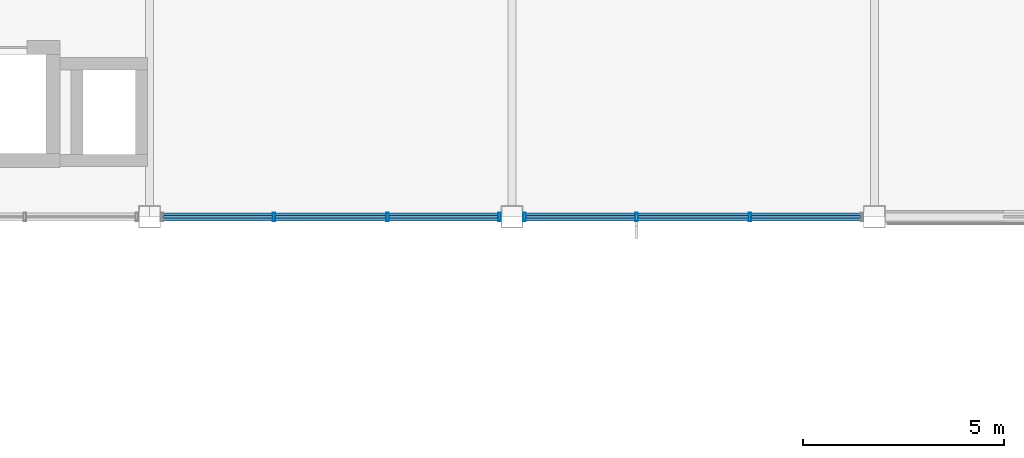
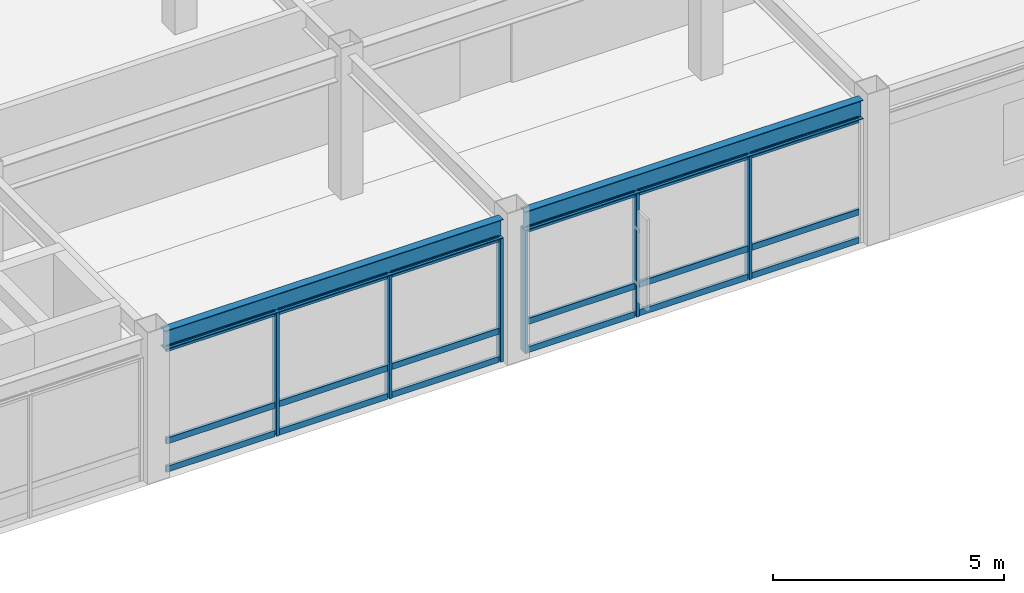
# One storey, part 68 of 122: 24 members, 2 beams, 2 elements without a shape of their own.
"""IFC4 building model written with IfcOpenShell, lengths in metres."""

from ifc_helpers import new_model, si_unit, direction, frame, origin, origin_2d, place, context, subcontext, project, spatial, hollow_rectangle, i_section, extrude, material, material_profile, profile_set, type_object, element, aggregate, save


model = new_model("IFC4")

# Units and contexts
model_context = context("Model", 3, precision=1e-05, world=origin(), true_north=direction((0.0, 1.0)))
body_context = subcontext(model_context, "Body", "Model", "MODEL_VIEW")
ifc_project = project(units=[si_unit("LENGTHUNIT", "METRE"), si_unit("AREAUNIT", "SQUARE_METRE"), si_unit("VOLUMEUNIT", "CUBIC_METRE"), si_unit("PLANEANGLEUNIT", "RADIAN"), si_unit("MASSUNIT", "GRAM", prefix="KILO")], contexts=[model_context])

# Site, building, storey
site_placement = place(None, origin())
site = spatial("IfcSite", under=ifc_project, at=site_placement, CompositionType="ELEMENT")
building_placement = place(site_placement, origin())
building = spatial("IfcBuilding", under=site, at=building_placement, Name="Kazanami Central Library", CompositionType="ELEMENT")
storey_placement = place(building_placement, frame((0.0, 0.0, 4.800048828125)))
storey = spatial("IfcBuildingStorey", under=building, at=storey_placement, Name="L02", CompositionType="ELEMENT", Elevation=4.800048828125)

# Beams
ifc_material_1 = material(Name="Steel SN490B (325 MPa)", Category="steel")
ifc_material_profile_1 = material_profile(ifc_material_1, i_section(OverallWidth=0.199951171875, OverallDepth=0.5, WebThickness=0.010009765625, FlangeThickness=0.01611328125, at=origin_2d()), Name="H-500x200x10x16")
ifc_profile_set_1 = profile_set([ifc_material_profile_1], Name="Steel SN490B (325 MPa)")
beam_type = type_object("IfcBeamType", Name="BM-SP-1", PredefinedType="SPANDREL", material=ifc_profile_set_1)
for number, where, z_axis, x_axis, name in (
    (1, (63.27294921875, 64.800048828125, 3.5048828125), (1.0, 0.0, 0.0), (0.0, 1.0, 0.0), "Girder SP-1 L02 K/8-9"),
    (2, (72.27294921875, 64.800048828125, 3.5048828125), (1.0, 0.0, 0.0), (0.0, 1.0, 0.0), "Girder SP-1 L02 K/9-10"),
):
    element("IfcBeam", number, at=place(storey_placement, frame(where, z_axis=z_axis, x_axis=x_axis)), inside=storey, type_object=beam_type, Name=name, PredefinedType="SPANDREL", context=body_context, shape_type="SweptSolid", body=[
        extrude(i_section(OverallWidth=0.199951171875, OverallDepth=0.5, WebThickness=0.010009765625, FlangeThickness=0.01611328125, at=origin_2d()), origin(), (0.0, 0.0, 1.0), 8.4541015625),
    ])

# Curtain wall, members
ifc_material_2 = material(Name="Acid-Etched Low-E Laminated Glass", Category="glass")
curtain_wall_type = type_object("IfcCurtainWallType", Name="CW-8450x3255-M275", PredefinedType="USERDEFINED", material=ifc_material_2)
curtain_wall_1_placement = place(storey_placement, origin())
curtain_wall_1 = element("IfcCurtainWall", 3, at=curtain_wall_1_placement, inside=storey, type_object=curtain_wall_type, Name="Unitised Curtain Wall CW-13 L02 S-K-07", ObjectType="UNITISED CURTAIN WALL", PredefinedType="USERDEFINED")
ifc_material_3 = material(Name="Anodised Aluminium A6063-T5", Category="aluminium")
ifc_material_profile_2 = material_profile(ifc_material_3, hollow_rectangle(XDim=0.070068359375, YDim=0.2099609375, WallThickness=0.0048828125, at=origin_2d()), Name="ALU-MULL-70x210x5")
ifc_profile_set_2 = profile_set([ifc_material_profile_2], Name="Anodised Aluminium A6063-T5")
member_type_1 = type_object("IfcMemberType", Name="MEM-CW-M1", PredefinedType="MULLION", material=ifc_profile_set_2)
member_1_placement = place(storey_placement, frame((66.091552734375, 64.800048828125, 0.0), z_axis=(0.0, 0.0, 1.0), x_axis=(1.0, 0.0, 0.0)))
member_1 = element("IfcMember", 4, at=member_1_placement, type_object=member_type_1, Name="CW-13 mullion 2", PredefinedType="MULLION", context=body_context, shape_type="SweptSolid", body=[
    extrude(hollow_rectangle(XDim=0.070068359375, YDim=0.2099609375, WallThickness=0.0048828125, at=origin_2d()), origin(), (0.0, 0.0, 1.0), 3.2548828125),
])
member_2_placement = place(storey_placement, frame((68.908447265625, 64.800048828125, 0.0), z_axis=(0.0, 0.0, 1.0), x_axis=(1.0, 0.0, 0.0)))
member_2 = element("IfcMember", 5, at=member_2_placement, type_object=member_type_1, Name="CW-13 mullion 3", PredefinedType="MULLION", context=body_context, shape_type="SweptSolid", body=[
    extrude(hollow_rectangle(XDim=0.070068359375, YDim=0.2099609375, WallThickness=0.0048828125, at=origin_2d()), origin(), (0.0, 0.0, 1.0), 3.2548828125),
])
member_3_placement = place(storey_placement, frame((71.68994140625, 64.800048828125, 0.0), z_axis=(0.0, 0.0, 1.0), x_axis=(1.0, 0.0, 0.0)))
member_3 = element("IfcMember", 6, at=member_3_placement, type_object=member_type_1, Name="CW-13 mullion 4", PredefinedType="MULLION", context=body_context, shape_type="SweptSolid", body=[
    extrude(hollow_rectangle(XDim=0.070068359375, YDim=0.2099609375, WallThickness=0.0048828125, at=origin_2d()), origin(), (0.0, 0.0, 1.0), 3.2548828125),
])

curtain_wall_2_placement = place(storey_placement, origin())
curtain_wall_2 = element("IfcCurtainWall", 7, at=curtain_wall_2_placement, inside=storey, type_object=curtain_wall_type, Name="Unitised Curtain Wall CW-13 L02 S-K-08", ObjectType="UNITISED CURTAIN WALL", PredefinedType="USERDEFINED")
member_4_placement = place(storey_placement, frame((72.31005859375, 64.800048828125, 0.0), z_axis=(0.0, 0.0, 1.0), x_axis=(1.0, 0.0, 0.0)))
member_4 = element("IfcMember", 8, at=member_4_placement, type_object=member_type_1, Name="CW-13 mullion 1", PredefinedType="MULLION", context=body_context, shape_type="SweptSolid", body=[
    extrude(hollow_rectangle(XDim=0.070068359375, YDim=0.2099609375, WallThickness=0.0048828125, at=origin_2d()), origin(), (0.0, 0.0, 1.0), 3.2548828125),
])
member_5_placement = place(storey_placement, frame((75.091552734375, 64.800048828125, 0.0), z_axis=(0.0, 0.0, 1.0), x_axis=(1.0, 0.0, 0.0)))
member_5 = element("IfcMember", 9, at=member_5_placement, type_object=member_type_1, Name="CW-13 mullion 2", PredefinedType="MULLION", context=body_context, shape_type="SweptSolid", body=[
    extrude(hollow_rectangle(XDim=0.070068359375, YDim=0.2099609375, WallThickness=0.0048828125, at=origin_2d()), origin(), (0.0, 0.0, 1.0), 3.2548828125),
])
member_6_placement = place(storey_placement, frame((77.908447265625, 64.800048828125, 0.0), z_axis=(0.0, 0.0, 1.0), x_axis=(1.0, 0.0, 0.0)))
member_6 = element("IfcMember", 10, at=member_6_placement, type_object=member_type_1, Name="CW-13 mullion 3", PredefinedType="MULLION", context=body_context, shape_type="SweptSolid", body=[
    extrude(hollow_rectangle(XDim=0.070068359375, YDim=0.2099609375, WallThickness=0.0048828125, at=origin_2d()), origin(), (0.0, 0.0, 1.0), 3.2548828125),
])

# Member
ifc_material_profile_3 = material_profile(ifc_material_3, hollow_rectangle(XDim=0.070068359375, YDim=0.159912109375, WallThickness=0.00390625, at=origin_2d()), Name="ALU-TRAN-70x160x4")
ifc_profile_set_3 = profile_set([ifc_material_profile_3], Name="Anodised Aluminium A6063-T5")
member_type_2 = type_object("IfcMemberType", Name="MEM-CW-T1", PredefinedType="USERDEFINED", material=ifc_profile_set_3)
member_7_placement = place(storey_placement, frame((63.344970703125, 64.800048828125, 0.034912109375), z_axis=(1.0, 0.0, 0.0), x_axis=(0.0, 1.0, 0.0)))
member_7 = element("IfcMember", 11, at=member_7_placement, type_object=member_type_2, Name="CW-13 transom 1.1", ObjectType="TRANSOM", PredefinedType="USERDEFINED", context=body_context, shape_type="SweptSolid", body=[
    extrude(hollow_rectangle(XDim=0.070068359375, YDim=0.159912109375, WallThickness=0.00390625, at=origin_2d()), origin(), (0.0, 0.0, 1.0), 2.711669921875),
])

member_8_placement = place(storey_placement, frame((63.344970703125, 64.800048828125, 0.780029296875), z_axis=(1.0, 0.0, 0.0), x_axis=(0.0, 1.0, 0.0)))
member_8 = element("IfcMember", 12, at=member_8_placement, type_object=member_type_2, Name="CW-13 transom 1.2", ObjectType="TRANSOM", PredefinedType="USERDEFINED", context=body_context, shape_type="SweptSolid", body=[
    extrude(hollow_rectangle(XDim=0.070068359375, YDim=0.159912109375, WallThickness=0.00390625, at=origin_2d()), origin(), (0.0, 0.0, 1.0), 2.711669921875),
])

member_9_placement = place(storey_placement, frame((63.344970703125, 64.800048828125, 3.219970703125), z_axis=(1.0, 0.0, 0.0), x_axis=(0.0, 1.0, 0.0)))
member_9 = element("IfcMember", 13, at=member_9_placement, type_object=member_type_2, Name="CW-13 transom 1.3", ObjectType="TRANSOM", PredefinedType="USERDEFINED", context=body_context, shape_type="SweptSolid", body=[
    extrude(hollow_rectangle(XDim=0.070068359375, YDim=0.159912109375, WallThickness=0.00390625, at=origin_2d()), origin(), (0.0, 0.0, 1.0), 2.711669921875),
])

member_10_placement = place(storey_placement, frame((66.126708984375, 64.800048828125, 0.034912109375), z_axis=(1.0, 0.0, 0.0), x_axis=(0.0, 1.0, 0.0)))
member_10 = element("IfcMember", 14, at=member_10_placement, type_object=member_type_2, Name="CW-13 transom 2.1", ObjectType="TRANSOM", PredefinedType="USERDEFINED", context=body_context, shape_type="SweptSolid", body=[
    extrude(hollow_rectangle(XDim=0.070068359375, YDim=0.159912109375, WallThickness=0.00390625, at=origin_2d()), origin(), (0.0, 0.0, 1.0), 2.74658203125),
])

member_11_placement = place(storey_placement, frame((66.126708984375, 64.800048828125, 0.780029296875), z_axis=(1.0, 0.0, 0.0), x_axis=(0.0, 1.0, 0.0)))
member_11 = element("IfcMember", 15, at=member_11_placement, type_object=member_type_2, Name="CW-13 transom 2.2", ObjectType="TRANSOM", PredefinedType="USERDEFINED", context=body_context, shape_type="SweptSolid", body=[
    extrude(hollow_rectangle(XDim=0.070068359375, YDim=0.159912109375, WallThickness=0.00390625, at=origin_2d()), origin(), (0.0, 0.0, 1.0), 2.74658203125),
])

member_12_placement = place(storey_placement, frame((66.126708984375, 64.800048828125, 3.219970703125), z_axis=(1.0, 0.0, 0.0), x_axis=(0.0, 1.0, 0.0)))
member_12 = element("IfcMember", 16, at=member_12_placement, type_object=member_type_2, Name="CW-13 transom 2.3", ObjectType="TRANSOM", PredefinedType="USERDEFINED", context=body_context, shape_type="SweptSolid", body=[
    extrude(hollow_rectangle(XDim=0.070068359375, YDim=0.159912109375, WallThickness=0.00390625, at=origin_2d()), origin(), (0.0, 0.0, 1.0), 2.74658203125),
])

member_13_placement = place(storey_placement, frame((68.943359375, 64.800048828125, 0.034912109375), z_axis=(1.0, 0.0, 0.0), x_axis=(0.0, 1.0, 0.0)))
member_13 = element("IfcMember", 17, at=member_13_placement, type_object=member_type_2, Name="CW-13 transom 3.1", ObjectType="TRANSOM", PredefinedType="USERDEFINED", context=body_context, shape_type="SweptSolid", body=[
    extrude(hollow_rectangle(XDim=0.070068359375, YDim=0.159912109375, WallThickness=0.00390625, at=origin_2d()), origin(), (0.0, 0.0, 1.0), 2.711669921875),
])

member_14_placement = place(storey_placement, frame((68.943359375, 64.800048828125, 0.780029296875), z_axis=(1.0, 0.0, 0.0), x_axis=(0.0, 1.0, 0.0)))
member_14 = element("IfcMember", 18, at=member_14_placement, type_object=member_type_2, Name="CW-13 transom 3.2", ObjectType="TRANSOM", PredefinedType="USERDEFINED", context=body_context, shape_type="SweptSolid", body=[
    extrude(hollow_rectangle(XDim=0.070068359375, YDim=0.159912109375, WallThickness=0.00390625, at=origin_2d()), origin(), (0.0, 0.0, 1.0), 2.711669921875),
])

member_15_placement = place(storey_placement, frame((68.943359375, 64.800048828125, 3.219970703125), z_axis=(1.0, 0.0, 0.0), x_axis=(0.0, 1.0, 0.0)))
member_15 = element("IfcMember", 19, at=member_15_placement, type_object=member_type_2, Name="CW-13 transom 3.3", ObjectType="TRANSOM", PredefinedType="USERDEFINED", context=body_context, shape_type="SweptSolid", body=[
    extrude(hollow_rectangle(XDim=0.070068359375, YDim=0.159912109375, WallThickness=0.00390625, at=origin_2d()), origin(), (0.0, 0.0, 1.0), 2.711669921875),
])

aggregate(curtain_wall_1, [member_1, member_2, member_3, member_7, member_8, member_9, member_10, member_11, member_12, member_13, member_14, member_15])

member_16_placement = place(storey_placement, frame((72.344970703125, 64.800048828125, 0.034912109375), z_axis=(1.0, 0.0, 0.0), x_axis=(0.0, 1.0, 0.0)))
member_16 = element("IfcMember", 20, at=member_16_placement, type_object=member_type_2, Name="CW-13 transom 1.1", ObjectType="TRANSOM", PredefinedType="USERDEFINED", context=body_context, shape_type="SweptSolid", body=[
    extrude(hollow_rectangle(XDim=0.070068359375, YDim=0.159912109375, WallThickness=0.00390625, at=origin_2d()), origin(), (0.0, 0.0, 1.0), 2.711669921875),
])

member_17_placement = place(storey_placement, frame((72.344970703125, 64.800048828125, 0.780029296875), z_axis=(1.0, 0.0, 0.0), x_axis=(0.0, 1.0, 0.0)))
member_17 = element("IfcMember", 21, at=member_17_placement, type_object=member_type_2, Name="CW-13 transom 1.2", ObjectType="TRANSOM", PredefinedType="USERDEFINED", context=body_context, shape_type="SweptSolid", body=[
    extrude(hollow_rectangle(XDim=0.070068359375, YDim=0.159912109375, WallThickness=0.00390625, at=origin_2d()), origin(), (0.0, 0.0, 1.0), 2.711669921875),
])

member_18_placement = place(storey_placement, frame((72.344970703125, 64.800048828125, 3.219970703125), z_axis=(1.0, 0.0, 0.0), x_axis=(0.0, 1.0, 0.0)))
member_18 = element("IfcMember", 22, at=member_18_placement, type_object=member_type_2, Name="CW-13 transom 1.3", ObjectType="TRANSOM", PredefinedType="USERDEFINED", context=body_context, shape_type="SweptSolid", body=[
    extrude(hollow_rectangle(XDim=0.070068359375, YDim=0.159912109375, WallThickness=0.00390625, at=origin_2d()), origin(), (0.0, 0.0, 1.0), 2.711669921875),
])

member_19_placement = place(storey_placement, frame((75.126708984375, 64.800048828125, 0.034912109375), z_axis=(1.0, 0.0, 0.0), x_axis=(0.0, 1.0, 0.0)))
member_19 = element("IfcMember", 23, at=member_19_placement, type_object=member_type_2, Name="CW-13 transom 2.1", ObjectType="TRANSOM", PredefinedType="USERDEFINED", context=body_context, shape_type="SweptSolid", body=[
    extrude(hollow_rectangle(XDim=0.070068359375, YDim=0.159912109375, WallThickness=0.00390625, at=origin_2d()), origin(), (0.0, 0.0, 1.0), 2.74658203125),
])

member_20_placement = place(storey_placement, frame((75.126708984375, 64.800048828125, 0.780029296875), z_axis=(1.0, 0.0, 0.0), x_axis=(0.0, 1.0, 0.0)))
member_20 = element("IfcMember", 24, at=member_20_placement, type_object=member_type_2, Name="CW-13 transom 2.2", ObjectType="TRANSOM", PredefinedType="USERDEFINED", context=body_context, shape_type="SweptSolid", body=[
    extrude(hollow_rectangle(XDim=0.070068359375, YDim=0.159912109375, WallThickness=0.00390625, at=origin_2d()), origin(), (0.0, 0.0, 1.0), 2.74658203125),
])

member_21_placement = place(storey_placement, frame((75.126708984375, 64.800048828125, 3.219970703125), z_axis=(1.0, 0.0, 0.0), x_axis=(0.0, 1.0, 0.0)))
member_21 = element("IfcMember", 25, at=member_21_placement, type_object=member_type_2, Name="CW-13 transom 2.3", ObjectType="TRANSOM", PredefinedType="USERDEFINED", context=body_context, shape_type="SweptSolid", body=[
    extrude(hollow_rectangle(XDim=0.070068359375, YDim=0.159912109375, WallThickness=0.00390625, at=origin_2d()), origin(), (0.0, 0.0, 1.0), 2.74658203125),
])

member_22_placement = place(storey_placement, frame((77.943359375, 64.800048828125, 0.034912109375), z_axis=(1.0, 0.0, 0.0), x_axis=(0.0, 1.0, 0.0)))
member_22 = element("IfcMember", 26, at=member_22_placement, type_object=member_type_2, Name="CW-13 transom 3.1", ObjectType="TRANSOM", PredefinedType="USERDEFINED", context=body_context, shape_type="SweptSolid", body=[
    extrude(hollow_rectangle(XDim=0.070068359375, YDim=0.159912109375, WallThickness=0.00390625, at=origin_2d()), origin(), (0.0, 0.0, 1.0), 2.711669921875),
])

member_23_placement = place(storey_placement, frame((77.943359375, 64.800048828125, 0.780029296875), z_axis=(1.0, 0.0, 0.0), x_axis=(0.0, 1.0, 0.0)))
member_23 = element("IfcMember", 27, at=member_23_placement, type_object=member_type_2, Name="CW-13 transom 3.2", ObjectType="TRANSOM", PredefinedType="USERDEFINED", context=body_context, shape_type="SweptSolid", body=[
    extrude(hollow_rectangle(XDim=0.070068359375, YDim=0.159912109375, WallThickness=0.00390625, at=origin_2d()), origin(), (0.0, 0.0, 1.0), 2.711669921875),
])

member_24_placement = place(storey_placement, frame((77.943359375, 64.800048828125, 3.219970703125), z_axis=(1.0, 0.0, 0.0), x_axis=(0.0, 1.0, 0.0)))
member_24 = element("IfcMember", 28, at=member_24_placement, type_object=member_type_2, Name="CW-13 transom 3.3", ObjectType="TRANSOM", PredefinedType="USERDEFINED", context=body_context, shape_type="SweptSolid", body=[
    extrude(hollow_rectangle(XDim=0.070068359375, YDim=0.159912109375, WallThickness=0.00390625, at=origin_2d()), origin(), (0.0, 0.0, 1.0), 2.711669921875),
])

aggregate(curtain_wall_2, [member_4, member_5, member_6, member_16, member_17, member_18, member_19, member_20, member_21, member_22, member_23, member_24])

save(model, "model.ifc")
